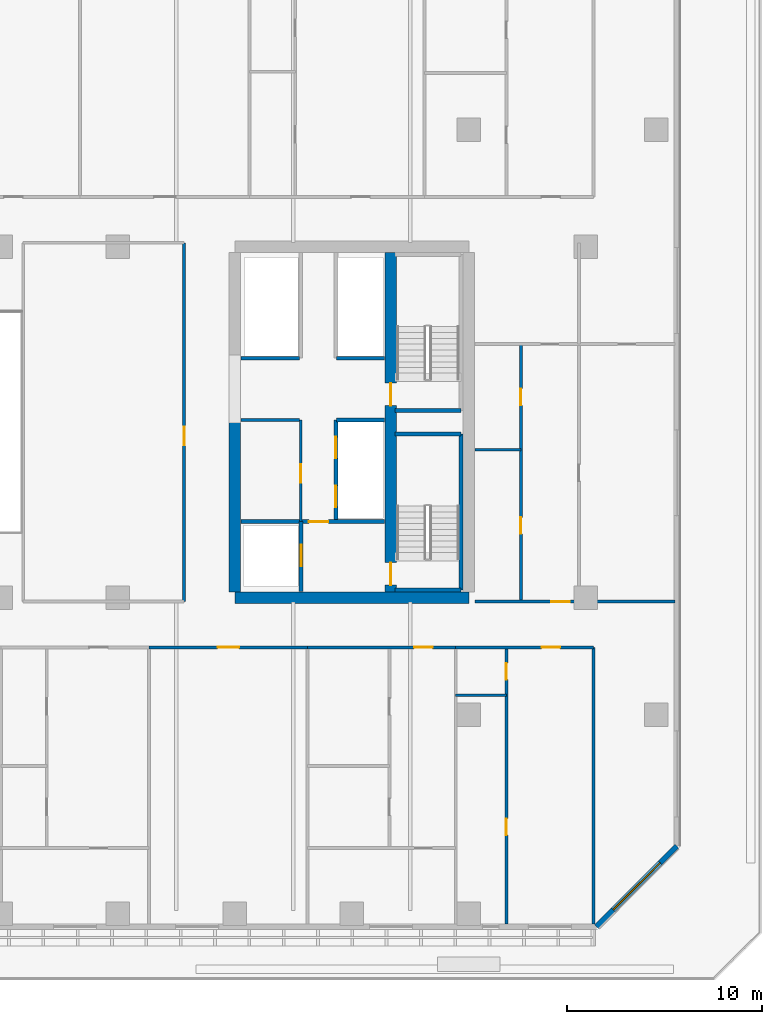
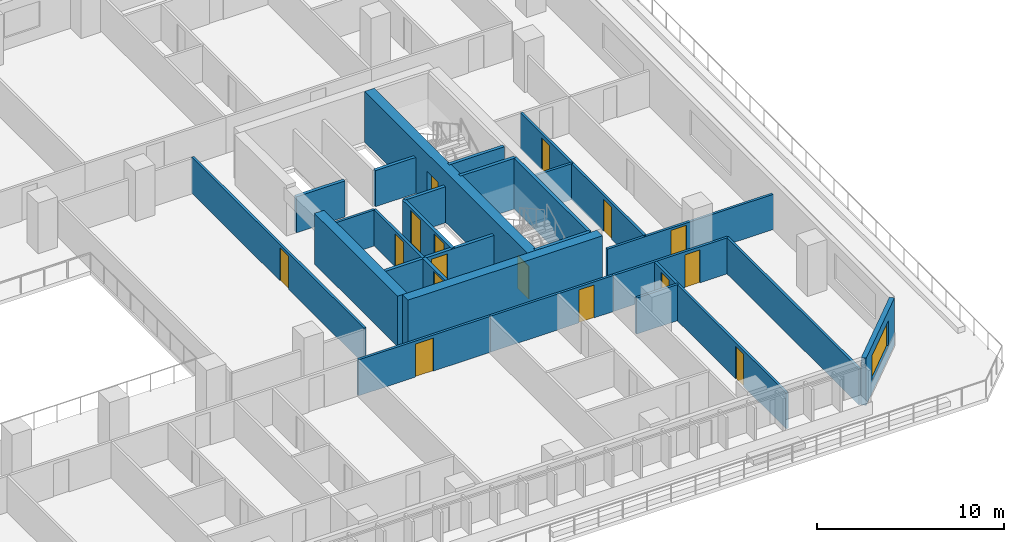
# One storey, part 10 of 23: 26 walls, 16 doors, 1 window, 17 openings.
"""IFC4 building model written with IfcOpenShell, lengths in metres."""

from ifc_helpers import new_model, si_unit, direction, frame, frame_2d, origin, place, context, subcontext, project, spatial, rectangle, extrude, material, layer, layer_set, type_object, element, fill, save


model = new_model("IFC4")

# Units and contexts
model_context = context("Model", 3, precision=1e-05, world=origin(), true_north=direction((0.0, 1.0)))
body_context = subcontext(model_context, "Body", "Model", "MODEL_VIEW")
ifc_project = project(units=[si_unit("LENGTHUNIT", "METRE"), si_unit("AREAUNIT", "SQUARE_METRE"), si_unit("VOLUMEUNIT", "CUBIC_METRE"), si_unit("PLANEANGLEUNIT", "RADIAN"), si_unit("MASSUNIT", "GRAM", prefix="KILO")], contexts=[model_context])

# Site, building, storey
site_placement = place(None, origin())
site = spatial("IfcSite", under=ifc_project, at=site_placement, CompositionType="ELEMENT")
building_placement = place(site_placement, origin())
building = spatial("IfcBuilding", under=site, at=building_placement, Name="Tanjung Sevakor Pilgrim Tower", CompositionType="ELEMENT")
storey_placement = place(building_placement, frame((0.0, 0.0, 29.0400390625)))
storey = spatial("IfcBuildingStorey", under=building, at=storey_placement, Name="L07", CompositionType="ELEMENT", Elevation=29.0400390625)

# Walls
ifc_material_1 = material(Name="Concrete C60/75", Category="concrete")
ifc_layer_1 = layer(ifc_material_1, 0.60009765625)
ifc_layer_set_1 = layer_set([ifc_layer_1], Name="WALL-CW-600")
wall_type_1 = type_object("IfcWallType", Name="WALL-CW-600", PredefinedType="SHEAR", material=ifc_layer_set_1)
wall_1_placement = place(storey_placement, frame((78.0, 24.60009765625, 0.0), z_axis=(0.0, 0.0, 1.0), x_axis=(1.0, 0.0, 0.0)))
element("IfcWall", 1, at=wall_1_placement, inside=storey, type_object=wall_type_1, Name="L07 E Core South Shear Wall", PredefinedType="SHEAR", context=body_context, shape_type="SweptSolid", body=[
    extrude(rectangle(XDim=12.0, YDim=0.60009765625, at=frame_2d((6.0, 0.0))), origin(), (0.0, 0.0, 1.0), 3.300048828125),
])
wall_2_placement = place(storey_placement, frame((78.0, 24.89990234375, 0.0), z_axis=(0.0, 0.0, 1.0), x_axis=(0.0, 1.0, 0.0)))
element("IfcWall", 2, at=wall_2_placement, inside=storey, type_object=wall_type_1, Name="L07 E Core Inner Shear Wall South", PredefinedType="SHEAR", context=body_context, shape_type="SweptSolid", body=[
    extrude(rectangle(XDim=8.900146484375, YDim=0.60009765625, at=frame_2d((4.4501953125, 0.0))), origin(), (0.0, 0.0, 1.0), 3.300048828125),
])

# Wall, openings, doors
wall_3_placement = place(storey_placement, frame((86.0, 24.89990234375, 0.0), z_axis=(0.0, 0.0, 1.0), x_axis=(0.0, 1.0, 0.0)))
wall_3 = element("IfcWall", 3, at=wall_3_placement, inside=storey, type_object=wall_type_1, Name="L07 E Core Stair Spine Wall", PredefinedType="SHEAR", context=body_context, shape_type="SweptSolid", body=[
    extrude(rectangle(XDim=17.400146484375, YDim=0.60009765625, at=frame_2d((8.7001953125, 0.0))), origin(), (0.0, 0.0, 1.0), 3.300048828125),
])
opening_1_placement = place(wall_3_placement, frame((0.35009765625, 0.0, 0.0)))
opening_1 = element("IfcOpeningElement", 4, at=opening_1_placement, cuts=wall_3, Name="Opening ID-ST1", PredefinedType="OPENING", context=body_context, shape_type="SweptSolid", body=[
    extrude(rectangle(XDim=1.14990234375, YDim=2.14990234375, at=frame_2d((0.574951171875, 1.074951171875))), frame((0.0, 0.31005859375, 0.0), z_axis=(0.0, -1.0, 0.0), x_axis=(1.0, 0.0, 0.0)), (0.0, 0.0, 1.0), 0.6201171875),
])
opening_2_placement = place(wall_3_placement, frame((9.550048828125, 0.0, 0.0)))
opening_2 = element("IfcOpeningElement", 5, at=opening_2_placement, cuts=wall_3, Name="Opening ID-ST1", PredefinedType="OPENING", context=body_context, shape_type="SweptSolid", body=[
    extrude(rectangle(XDim=1.14990234375, YDim=2.14990234375, at=frame_2d((0.574951171875, 1.074951171875))), frame((0.0, 0.31005859375, 0.0), z_axis=(0.0, -1.0, 0.0), x_axis=(1.0, 0.0, 0.0)), (0.0, 0.0, 1.0), 0.6201171875),
])
ifc_material_2 = material(Name="Fire-Rated Steel S355J2", Category="steel")
door_type_1 = type_object("IfcDoorType", Name="DT-FIRE-1150", OperationType="NOTDEFINED", PredefinedType="DOOR", material=ifc_material_2)
door_1_placement = place(opening_1_placement, origin())
door_1 = element("IfcDoor", 6, at=door_1_placement, inside=storey, type_object=door_type_1, Name="L07 TS-E1 Stair Fire Door", OperationType="SINGLE_SWING_LEFT", OverallHeight=2.14990234375, OverallWidth=1.14990234375, PredefinedType="DOOR", context=body_context, shape_type="SweptSolid", body=[
    extrude(rectangle(XDim=1.14990234375, YDim=2.14990234375, at=frame_2d((0.574951171875, 1.074951171875))), frame((0.0, 0.02490234375, 0.0), z_axis=(0.0, -1.0, 0.0), x_axis=(1.0, 0.0, 0.0)), (0.0, 0.0, 1.0), 0.050048828125),
])
fill(opening_1, door_1)
door_2_placement = place(opening_2_placement, origin())
door_2 = element("IfcDoor", 7, at=door_2_placement, inside=storey, type_object=door_type_1, Name="L07 TS-E2 Stair Fire Door", OperationType="SINGLE_SWING_RIGHT", OverallHeight=2.14990234375, OverallWidth=1.14990234375, PredefinedType="DOOR", context=body_context, shape_type="SweptSolid", body=[
    extrude(rectangle(XDim=1.14990234375, YDim=2.14990234375, at=frame_2d((0.574951171875, 1.074951171875))), frame((0.0, 0.02490234375, 0.0), z_axis=(0.0, -1.0, 0.0), x_axis=(1.0, 0.0, 0.0)), (0.0, 0.0, 1.0), 0.050048828125),
])
fill(opening_2, door_2)

# Wall
ifc_material_3 = material(Name="Concrete C40/50", Category="concrete")
ifc_layer_2 = layer(ifc_material_3, 0.14990234375)
ifc_layer_set_2 = layer_set([ifc_layer_2], Name="WT-COMP-150")
wall_type_2 = type_object("IfcWallType", Name="WT-COMP-150", PredefinedType="SOLIDWALL", material=ifc_layer_set_2)
wall_4_placement = place(storey_placement, frame((78.320068359375, 33.719970703125, 0.0), z_axis=(0.0, 0.0, 1.0), x_axis=(1.0, 0.0, 0.0)))
element("IfcWall", 8, at=wall_4_placement, inside=storey, type_object=wall_type_2, Name="L07 Partition IW-L07-015", PredefinedType="SOLIDWALL", context=body_context, shape_type="SweptSolid", body=[
    extrude(rectangle(XDim=3.0, YDim=0.14990234375, at=frame_2d((1.5, 0.0))), origin(), (0.0, 0.0, 1.0), 2.35009765625),
])

# Wall, opening, door
wall_5_placement = place(storey_placement, frame((81.3798828125, 28.5, 0.0), z_axis=(0.0, 0.0, 1.0), x_axis=(0.0, 1.0, 0.0)))
wall_5 = element("IfcWall", 9, at=wall_5_placement, inside=storey, type_object=wall_type_2, Name="L07 Partition IW-L07-016", PredefinedType="SOLIDWALL", context=body_context, shape_type="SweptSolid", body=[
    extrude(rectangle(XDim=5.219970703125, YDim=0.14990234375, at=frame_2d((2.60986328125, 0.0))), origin(), (0.0, 0.0, 1.0), 2.35009765625),
])
opening_3_placement = place(wall_5_placement, frame((2.0, 0.0, 0.0)))
opening_3 = element("IfcOpeningElement", 10, at=opening_3_placement, cuts=wall_5, Name="Opening ID-FD2", PredefinedType="OPENING", context=body_context, shape_type="SweptSolid", body=[
    extrude(rectangle(XDim=0.949951171875, YDim=2.14990234375, at=frame_2d((0.47509765625, 1.074951171875))), frame((0.0, 0.0849609375, 0.0), z_axis=(0.0, -1.0, 0.0), x_axis=(1.0, 0.0, 0.0)), (0.0, 0.0, 1.0), 0.169921875),
])
ifc_material_4 = material(Name="Fire-Rated Timber", Category="wood")
door_type_2 = type_object("IfcDoorType", Name="DT-FIRE-950", OperationType="NOTDEFINED", PredefinedType="DOOR", material=ifc_material_4)
door_3_placement = place(opening_3_placement, origin())
door_3 = element("IfcDoor", 11, at=door_3_placement, inside=storey, type_object=door_type_2, Name="L07 Accessible WC Door", OperationType="SINGLE_SWING_LEFT", OverallHeight=2.14990234375, OverallWidth=0.949951171875, PredefinedType="DOOR", context=body_context, shape_type="SweptSolid", body=[
    extrude(rectangle(XDim=0.949951171875, YDim=2.14990234375, at=frame_2d((0.47509765625, 1.074951171875))), frame((0.0, 0.02490234375, 0.0), z_axis=(0.0, -1.0, 0.0), x_axis=(1.0, 0.0, 0.0)), (0.0, 0.0, 1.0), 0.050048828125),
])
fill(opening_3, door_3)

wall_6_placement = place(storey_placement, frame((75.39990234375, 24.39990234375, 0.0), z_axis=(0.0, 0.0, 1.0), x_axis=(0.0, 1.0, 0.0)))
wall_6 = element("IfcWall", 12, at=wall_6_placement, inside=storey, type_object=wall_type_2, Name="L07 Partition IW-L07-028", PredefinedType="SOLIDWALL", context=body_context, shape_type="SweptSolid", body=[
    extrude(rectangle(XDim=18.400146484375, YDim=0.14990234375, at=frame_2d((9.2001953125, 0.0))), origin(), (0.0, 0.0, 1.0), 2.35009765625),
])
opening_4_placement = place(wall_6_placement, frame((8.02490234375, 0.0, 0.0)))
opening_4 = element("IfcOpeningElement", 13, at=opening_4_placement, cuts=wall_6, Name="Opening ID-RM1", PredefinedType="OPENING", context=body_context, shape_type="SweptSolid", body=[
    extrude(rectangle(XDim=0.949951171875, YDim=2.14990234375, at=frame_2d((0.47509765625, 1.074951171875))), frame((0.0, 0.0849609375, 0.0), z_axis=(0.0, -1.0, 0.0), x_axis=(1.0, 0.0, 0.0)), (0.0, 0.0, 1.0), 0.169921875),
])
ifc_material_5 = material(Name="Hardwood Timber", Category="wood")
door_type_3 = type_object("IfcDoorType", Name="DT-INT-950", OperationType="NOTDEFINED", PredefinedType="DOOR", material=ifc_material_5)
door_4_placement = place(opening_4_placement, origin())
door_4 = element("IfcDoor", 14, at=door_4_placement, inside=storey, type_object=door_type_3, Name="L07 Central East Room Door", OperationType="SINGLE_SWING_LEFT", OverallHeight=2.14990234375, OverallWidth=0.949951171875, PredefinedType="DOOR", context=body_context, shape_type="SweptSolid", body=[
    extrude(rectangle(XDim=0.949951171875, YDim=2.14990234375, at=frame_2d((0.47509765625, 1.074951171875))), frame((0.0, 0.02490234375, 0.0), z_axis=(0.0, -1.0, 0.0), x_axis=(1.0, 0.0, 0.0)), (0.0, 0.0, 1.0), 0.050048828125),
])
fill(opening_4, door_4)

wall_7_placement = place(storey_placement, frame((90.320068359375, 24.39990234375, 0.0), z_axis=(0.0, 0.0, 1.0), x_axis=(1.0, 0.0, 0.0)))
wall_7 = element("IfcWall", 15, at=wall_7_placement, inside=storey, type_object=wall_type_2, Name="L07 Partition IW-L07-035", PredefinedType="SOLIDWALL", context=body_context, shape_type="SweptSolid", body=[
    extrude(rectangle(XDim=10.239990234375, YDim=0.14990234375, at=frame_2d((5.1201171875, 0.0))), origin(), (0.0, 0.0, 1.0), 2.295166015625),
])
opening_5_placement = place(wall_7_placement, frame((3.91259765625, 0.0, 0.0)))
opening_5 = element("IfcOpeningElement", 16, at=opening_5_placement, cuts=wall_7, Name="Opening ID-FD2", PredefinedType="OPENING", context=body_context, shape_type="SweptSolid", body=[
    extrude(rectangle(XDim=0.949951171875, YDim=2.14990234375, at=frame_2d((0.47509765625, 1.074951171875))), frame((0.0, 0.0849609375, 0.0), z_axis=(0.0, -1.0, 0.0), x_axis=(1.0, 0.0, 0.0)), (0.0, 0.0, 1.0), 0.169921875),
])
door_5_placement = place(opening_5_placement, origin())
door_5 = element("IfcDoor", 17, at=door_5_placement, inside=storey, type_object=door_type_2, Name="Suite Entrance", OperationType="SINGLE_SWING_RIGHT", OverallHeight=2.14990234375, OverallWidth=0.949951171875, PredefinedType="DOOR", context=body_context, shape_type="SweptSolid", body=[
    extrude(rectangle(XDim=0.949951171875, YDim=2.14990234375, at=frame_2d((0.47509765625, 1.074951171875))), frame((0.0, 0.02490234375, 0.0), z_axis=(0.0, -1.0, 0.0), x_axis=(1.0, 0.0, 0.0)), (0.0, 0.0, 1.0), 0.050048828125),
])
fill(opening_5, door_5)

# Wall
wall_8_placement = place(storey_placement, frame((96.39990234375, 7.8798828125, 0.0), z_axis=(0.0, 0.0, 1.0), x_axis=(0.0, 1.0, 0.0)))
element("IfcWall", 18, at=wall_8_placement, inside=storey, type_object=wall_type_2, Name="L07 Partition IW-L07-054", PredefinedType="SOLIDWALL", context=body_context, shape_type="SweptSolid", body=[
    extrude(rectangle(XDim=14.170166015625, YDim=0.14990234375, at=frame_2d((7.0849609375, 0.0))), origin(), (0.0, 0.0, 1.0), 2.35009765625),
])

# Wall, opening, door
wall_9_placement = place(storey_placement, frame((73.60498046875, 22.050048828125, 0.0), z_axis=(0.0, 0.0, 1.0), x_axis=(1.0, 0.0, 0.0)))
wall_9 = element("IfcWall", 19, at=wall_9_placement, inside=storey, type_object=wall_type_2, Name="L07 Partition IW-L07-068", PredefinedType="SOLIDWALL", context=body_context, shape_type="SweptSolid", body=[
    extrude(rectangle(XDim=8.122314453125, YDim=0.14990234375, at=frame_2d((4.06103515625, 0.0))), origin(), (0.0, 0.0, 1.0), 2.35009765625),
])
opening_6_placement = place(wall_9_placement, frame((3.51123046875, 0.0, 0.0)))
opening_6 = element("IfcOpeningElement", 20, at=opening_6_placement, cuts=wall_9, Name="Opening ID-FD0", PredefinedType="OPENING", context=body_context, shape_type="SweptSolid", body=[
    extrude(rectangle(XDim=1.10009765625, YDim=2.14990234375, at=frame_2d((0.550048828125, 1.074951171875))), frame((0.0, 0.0849609375, 0.0), z_axis=(0.0, -1.0, 0.0), x_axis=(1.0, 0.0, 0.0)), (0.0, 0.0, 1.0), 0.169921875),
])
ifc_material_6 = material(Name="Fire-Rated Steel S355J2", Category="steel")
door_type_4 = type_object("IfcDoorType", Name="DT-FIRE-1100", OperationType="NOTDEFINED", PredefinedType="DOOR", material=ifc_material_6)
door_6_placement = place(opening_6_placement, origin())
door_6 = element("IfcDoor", 21, at=door_6_placement, inside=storey, type_object=door_type_4, Name="Council Room Door", OperationType="SINGLE_SWING_LEFT", OverallHeight=2.14990234375, OverallWidth=1.10009765625, PredefinedType="DOOR", context=body_context, shape_type="SweptSolid", body=[
    extrude(rectangle(XDim=1.10009765625, YDim=2.14990234375, at=frame_2d((0.550048828125, 1.074951171875))), frame((0.0, 0.02490234375, 0.0), z_axis=(0.0, -1.0, 0.0), x_axis=(1.0, 0.0, 0.0)), (0.0, 0.0, 1.0), 0.050048828125),
])
fill(opening_6, door_6)

wall_10_placement = place(storey_placement, frame((81.727294921875, 22.050048828125, 0.0), z_axis=(0.0, 0.0, 1.0), x_axis=(1.0, 0.0, 0.0)))
wall_10 = element("IfcWall", 22, at=wall_10_placement, inside=storey, type_object=wall_type_2, Name="L07 Partition IW-L07-073", PredefinedType="SOLIDWALL", context=body_context, shape_type="SweptSolid", body=[
    extrude(rectangle(XDim=7.598388671875, YDim=0.14990234375, at=frame_2d((3.79931640625, 0.0))), origin(), (0.0, 0.0, 1.0), 2.35009765625),
])
opening_7_placement = place(wall_10_placement, frame((5.46044921875, 0.0, 0.0)))
opening_7 = element("IfcOpeningElement", 23, at=opening_7_placement, cuts=wall_10, Name="Opening ID-FD2", PredefinedType="OPENING", context=body_context, shape_type="SweptSolid", body=[
    extrude(rectangle(XDim=0.949951171875, YDim=2.14990234375, at=frame_2d((0.47509765625, 1.074951171875))), frame((0.0, 0.0849609375, 0.0), z_axis=(0.0, -1.0, 0.0), x_axis=(1.0, 0.0, 0.0)), (0.0, 0.0, 1.0), 0.169921875),
])
door_7_placement = place(opening_7_placement, origin())
door_7 = element("IfcDoor", 24, at=door_7_placement, inside=storey, type_object=door_type_2, Name="Residence Entrance", OperationType="SINGLE_SWING_LEFT", OverallHeight=2.14990234375, OverallWidth=0.949951171875, PredefinedType="DOOR", context=body_context, shape_type="SweptSolid", body=[
    extrude(rectangle(XDim=0.949951171875, YDim=2.14990234375, at=frame_2d((0.47509765625, 1.074951171875))), frame((0.0, 0.02490234375, 0.0), z_axis=(0.0, -1.0, 0.0), x_axis=(1.0, 0.0, 0.0)), (0.0, 0.0, 1.0), 0.050048828125),
])
fill(opening_7, door_7)

wall_11_placement = place(storey_placement, frame((89.32568359375, 22.050048828125, 0.0), z_axis=(0.0, 0.0, 1.0), x_axis=(1.0, 0.0, 0.0)))
wall_11 = element("IfcWall", 25, at=wall_11_placement, inside=storey, type_object=wall_type_2, Name="L07 Partition IW-L07-076", PredefinedType="SOLIDWALL", context=body_context, shape_type="SweptSolid", body=[
    extrude(rectangle(XDim=7.07421875, YDim=0.14990234375, at=frame_2d((3.537109375, 0.0))), origin(), (0.0, 0.0, 1.0), 2.35009765625),
])
opening_8_placement = place(wall_11_placement, frame((4.3994140625, 0.0, 0.0)))
opening_8 = element("IfcOpeningElement", 26, at=opening_8_placement, cuts=wall_11, Name="Opening ID-FD2", PredefinedType="OPENING", context=body_context, shape_type="SweptSolid", body=[
    extrude(rectangle(XDim=0.949951171875, YDim=2.14990234375, at=frame_2d((0.47509765625, 1.074951171875))), frame((0.0, 0.0849609375, 0.0), z_axis=(0.0, -1.0, 0.0), x_axis=(1.0, 0.0, 0.0)), (0.0, 0.0, 1.0), 0.169921875),
])
door_8_placement = place(opening_8_placement, origin())
door_8 = element("IfcDoor", 27, at=door_8_placement, inside=storey, type_object=door_type_2, Name="Hostel Quad Entrance", OperationType="SINGLE_SWING_RIGHT", OverallHeight=2.14990234375, OverallWidth=0.949951171875, PredefinedType="DOOR", context=body_context, shape_type="SweptSolid", body=[
    extrude(rectangle(XDim=0.949951171875, YDim=2.14990234375, at=frame_2d((0.47509765625, 1.074951171875))), frame((0.0, 0.02490234375, 0.0), z_axis=(0.0, -1.0, 0.0), x_axis=(1.0, 0.0, 0.0)), (0.0, 0.0, 1.0), 0.050048828125),
])
fill(opening_8, door_8)

# Wall, opening, window
ifc_material_7 = material(Name="Precast concrete C45/55", Category="concrete")
ifc_layer_3 = layer(ifc_material_7, 0.280029296875)
ifc_layer_set_3 = layer_set([ifc_layer_3], Name="WT-EW-STN2")
wall_type_3 = type_object("IfcWallType", Name="WT-EW-STN2", PredefinedType="SOLIDWALL", material=ifc_layer_set_3)
wall_12_placement = place(storey_placement, frame((96.5419921875, 7.739990234375, 0.0), z_axis=(0.0, 0.0, 1.0), x_axis=(0.707106781187, 0.707106781187, 0.0)))
wall_12 = element("IfcWall", 28, at=wall_12_placement, inside=storey, type_object=wall_type_3, Name="L07 MAIN Sculpted Corner Wall 5", PredefinedType="SOLIDWALL", context=body_context, shape_type="SweptSolid", body=[
    extrude(rectangle(XDim=5.82373046875, YDim=0.280029296875, at=frame_2d((2.911865234375, 0.0))), origin(), (0.0, 0.0, 1.0), 3.080078125),
])
opening_9_placement = place(wall_12_placement, frame((1.2119140625, 0.0, 0.780029296875)))
opening_9 = element("IfcOpeningElement", 29, at=opening_9_placement, cuts=wall_12, Name="Opening WN-CHM-1660", PredefinedType="OPENING", context=body_context, shape_type="SweptSolid", body=[
    extrude(rectangle(XDim=3.39990234375, YDim=1.659912109375, at=frame_2d((1.699951171875, 0.830078125))), frame((0.0, 0.14990234375, 0.0), z_axis=(0.0, -1.0, 0.0), x_axis=(1.0, 0.0, 0.0)), (0.0, 0.0, 1.0), 0.300048828125),
])
ifc_material_8 = material(Name="Thermally Broken Aluminium and Low-E Glass", Category="aluminium")
window_type = type_object("IfcWindowType", Name="WTYP-WN-CHM-1660", PartitioningType="DOUBLE_PANEL_VERTICAL", PredefinedType="WINDOW", material=ifc_material_8)
window_placement = place(opening_9_placement, origin())
window = element("IfcWindow", 30, at=window_placement, inside=storey, type_object=window_type, Name="L07 Facade Window 01", OverallHeight=1.659912109375, OverallWidth=3.39990234375, PartitioningType="SINGLE_PANEL", PredefinedType="WINDOW", context=body_context, shape_type="SweptSolid", body=[
    extrude(rectangle(XDim=3.39990234375, YDim=1.659912109375, at=frame_2d((1.699951171875, 0.830078125))), frame((0.0, 0.030029296875, 0.0), z_axis=(0.0, -1.0, 0.0), x_axis=(1.0, 0.0, 0.0)), (0.0, 0.0, 1.0), 0.06005859375),
])
fill(opening_9, window)

# Walls
ifc_material_9 = material(Name="Concrete C40/50", Category="concrete")
ifc_layer_4 = layer(ifc_material_9, 0.199951171875)
ifc_layer_set_4 = layer_set([ifc_layer_4], Name="WT-FIRE-200")
wall_type_4 = type_object("IfcWallType", Name="WT-FIRE-200", PredefinedType="SOLIDWALL", material=ifc_layer_set_4)
wall_13_placement = place(storey_placement, frame((86.199951171875, 25.0, 0.0), z_axis=(0.0, 0.0, 1.0), x_axis=(1.0, 0.0, 0.0)))
element("IfcWall", 31, at=wall_13_placement, inside=storey, type_object=wall_type_4, Name="L07 TS-E1 Shaft Wall 1", PredefinedType="SOLIDWALL", context=body_context, shape_type="SweptSolid", body=[
    extrude(rectangle(XDim=3.400146484375, YDim=0.199951171875, at=frame_2d((1.7001953125, 0.0))), origin(), (0.0, 0.0, 1.0), 3.300048828125),
])
wall_14_placement = place(storey_placement, frame((89.60009765625, 25.0, 0.0), z_axis=(0.0, 0.0, 1.0), x_axis=(0.0, 1.0, 0.0)))
element("IfcWall", 32, at=wall_14_placement, inside=storey, type_object=wall_type_4, Name="L07 TS-E1 Shaft Wall 2", PredefinedType="SOLIDWALL", context=body_context, shape_type="SweptSolid", body=[
    extrude(rectangle(XDim=8.0, YDim=0.199951171875, at=frame_2d((4.0, 0.0))), origin(), (0.0, 0.0, 1.0), 3.300048828125),
])
for number, where, z_axis, x_axis, name in (
    (33, (89.60009765625, 33.0, 0.0), (0.0, 0.0, 1.0), (-1.0, 0.0, 0.0), "L07 TS-E1 Shaft Wall 3"),
    (34, (86.199951171875, 34.199951171875, 0.0), (0.0, 0.0, 1.0), (1.0, 0.0, 0.0), "L07 TS-E2 Shaft Wall 1"),
):
    element("IfcWall", number, at=place(storey_placement, frame(where, z_axis=z_axis, x_axis=x_axis)), inside=storey, type_object=wall_type_4, Name=name, PredefinedType="SOLIDWALL", context=body_context, shape_type="SweptSolid", body=[
        extrude(rectangle(XDim=3.400146484375, YDim=0.199951171875, at=frame_2d((1.7001953125, 0.0))), origin(), (0.0, 0.0, 1.0), 3.300048828125),
    ])

# Wall, opening, door
ifc_material_10 = material(Name="Concrete C40/50", Category="concrete")
ifc_layer_5 = layer(ifc_material_10, 0.199951171875)
ifc_layer_set_5 = layer_set([ifc_layer_5], Name="WT-FPRT-200")
wall_type_5 = type_object("IfcWallType", Name="WT-FPRT-200", PredefinedType="SOLIDWALL", material=ifc_layer_set_5)
wall_15_placement = place(storey_placement, frame((81.39990234375, 24.919921875, 0.0), z_axis=(0.0, 0.0, 1.0), x_axis=(0.0, 1.0, 0.0)))
wall_15 = element("IfcWall", 35, at=wall_15_placement, inside=storey, type_object=wall_type_5, Name="L07 Partition IW-L07-011", PredefinedType="SOLIDWALL", context=body_context, shape_type="SweptSolid", body=[
    extrude(rectangle(XDim=3.580078125, YDim=0.199951171875, at=frame_2d((1.7900390625, 0.0))), origin(), (0.0, 0.0, 1.0), 2.35009765625),
])
opening_10_placement = place(wall_15_placement, frame((1.300048828125, 0.0, 0.0)))
opening_10 = element("IfcOpeningElement", 36, at=opening_10_placement, cuts=wall_15, Name="Opening LD-1100", PredefinedType="OPENING", context=body_context, shape_type="SweptSolid", body=[
    extrude(rectangle(XDim=1.10009765625, YDim=2.199951171875, at=frame_2d((0.550048828125, 1.10009765625))), frame((0.0, 0.10986328125, 0.0), z_axis=(0.0, -1.0, 0.0), x_axis=(1.0, 0.0, 0.0)), (0.0, 0.0, 1.0), 0.219970703125),
])
ifc_material_11 = material(Name="Brushed Stainless Steel S355J2", Category="steel")
door_type_5 = type_object("IfcDoorType", Name="DT-LIFT-1100", OperationType="SLIDING_TO_LEFT", PredefinedType="DOOR", material=ifc_material_11)
door_9_placement = place(opening_10_placement, origin())
door_9 = element("IfcDoor", 37, at=door_9_placement, inside=storey, type_object=door_type_5, Name="LD-FL-E", OperationType="SLIDING_TO_LEFT", OverallHeight=2.199951171875, OverallWidth=1.10009765625, PredefinedType="DOOR", context=body_context, shape_type="SweptSolid", body=[
    extrude(rectangle(XDim=1.10009765625, YDim=2.199951171875, at=frame_2d((0.550048828125, 1.10009765625))), frame((0.0, 0.02490234375, 0.0), z_axis=(0.0, -1.0, 0.0), x_axis=(1.0, 0.0, 0.0)), (0.0, 0.0, 1.0), 0.050048828125),
])
fill(opening_10, door_9)

wall_16_placement = place(storey_placement, frame((78.320068359375, 28.5, 0.0), z_axis=(0.0, 0.0, 1.0), x_axis=(1.0, 0.0, 0.0)))
wall_16 = element("IfcWall", 38, at=wall_16_placement, inside=storey, type_object=wall_type_5, Name="L07 Partition IW-L07-012", PredefinedType="SOLIDWALL", context=body_context, shape_type="SweptSolid", body=[
    extrude(rectangle(XDim=7.35986328125, YDim=0.199951171875, at=frame_2d((3.679931640625, 0.0))), origin(), (0.0, 0.0, 1.0), 2.35009765625),
])
opening_11_placement = place(wall_16_placement, frame((3.47998046875, 0.0, 0.0)))
opening_11 = element("IfcOpeningElement", 39, at=opening_11_placement, cuts=wall_16, Name="Opening ID-FD1", PredefinedType="OPENING", context=body_context, shape_type="SweptSolid", body=[
    extrude(rectangle(XDim=1.0, YDim=2.14990234375, at=frame_2d((0.5, 1.074951171875))), frame((0.0, 0.10986328125, 0.0), z_axis=(0.0, -1.0, 0.0), x_axis=(1.0, 0.0, 0.0)), (0.0, 0.0, 1.0), 0.219970703125),
])
ifc_material_12 = material(Name="Fire-Rated Steel S355J2", Category="steel")
door_type_6 = type_object("IfcDoorType", Name="DT-FIRE-1000", OperationType="NOTDEFINED", PredefinedType="DOOR", material=ifc_material_12)
door_10_placement = place(opening_11_placement, origin())
door_10 = element("IfcDoor", 40, at=door_10_placement, inside=storey, type_object=door_type_6, Name="Fire Lobby Door E", OperationType="SINGLE_SWING_RIGHT", OverallHeight=2.14990234375, OverallWidth=1.0, PredefinedType="DOOR", context=body_context, shape_type="SweptSolid", body=[
    extrude(rectangle(XDim=1.0, YDim=2.14990234375, at=frame_2d((0.5, 1.074951171875))), frame((0.0, 0.02490234375, 0.0), z_axis=(0.0, -1.0, 0.0), x_axis=(1.0, 0.0, 0.0)), (0.0, 0.0, 1.0), 0.050048828125),
])
fill(opening_11, door_10)

# Wall
wall_17_placement = place(storey_placement, frame((83.199951171875, 33.719970703125, 0.0), z_axis=(0.0, 0.0, 1.0), x_axis=(1.0, 0.0, 0.0)))
element("IfcWall", 41, at=wall_17_placement, inside=storey, type_object=wall_type_5, Name="L07 Partition IW-L07-013", PredefinedType="SOLIDWALL", context=body_context, shape_type="SweptSolid", body=[
    extrude(rectangle(XDim=2.47998046875, YDim=0.199951171875, at=frame_2d((1.239990234375, 0.0))), origin(), (0.0, 0.0, 1.0), 2.35009765625),
])

# Wall, openings, doors
wall_18_placement = place(storey_placement, frame((83.179931640625, 28.5, 0.0), z_axis=(0.0, 0.0, 1.0), x_axis=(0.0, 1.0, 0.0)))
wall_18 = element("IfcWall", 42, at=wall_18_placement, inside=storey, type_object=wall_type_5, Name="L07 Partition IW-L07-014", PredefinedType="SOLIDWALL", context=body_context, shape_type="SweptSolid", body=[
    extrude(rectangle(XDim=5.219970703125, YDim=0.199951171875, at=frame_2d((2.60986328125, 0.0))), origin(), (0.0, 0.0, 1.0), 2.35009765625),
])
opening_12_placement = place(wall_18_placement, frame((0.75, 0.0, 0.0)))
opening_12 = element("IfcOpeningElement", 43, at=opening_12_placement, cuts=wall_18, Name="Opening LD-1100", PredefinedType="OPENING", context=body_context, shape_type="SweptSolid", body=[
    extrude(rectangle(XDim=1.10009765625, YDim=2.199951171875, at=frame_2d((0.550048828125, 1.10009765625))), frame((0.0, 0.10986328125, 0.0), z_axis=(0.0, -1.0, 0.0), x_axis=(1.0, 0.0, 0.0)), (0.0, 0.0, 1.0), 0.219970703125),
])
opening_13_placement = place(wall_18_placement, frame((3.25, 0.0, 0.0)))
opening_13 = element("IfcOpeningElement", 44, at=opening_13_placement, cuts=wall_18, Name="Opening LD-1100", PredefinedType="OPENING", context=body_context, shape_type="SweptSolid", body=[
    extrude(rectangle(XDim=1.10009765625, YDim=2.199951171875, at=frame_2d((0.550048828125, 1.10009765625))), frame((0.0, 0.10986328125, 0.0), z_axis=(0.0, -1.0, 0.0), x_axis=(1.0, 0.0, 0.0)), (0.0, 0.0, 1.0), 0.219970703125),
])
door_11_placement = place(opening_12_placement, origin())
door_11 = element("IfcDoor", 45, at=door_11_placement, inside=storey, type_object=door_type_5, Name="LD-PLL1-E", OperationType="SLIDING_TO_LEFT", OverallHeight=2.199951171875, OverallWidth=1.10009765625, PredefinedType="DOOR", context=body_context, shape_type="SweptSolid", body=[
    extrude(rectangle(XDim=1.10009765625, YDim=2.199951171875, at=frame_2d((0.550048828125, 1.10009765625))), frame((0.0, 0.02490234375, 0.0), z_axis=(0.0, -1.0, 0.0), x_axis=(1.0, 0.0, 0.0)), (0.0, 0.0, 1.0), 0.050048828125),
])
fill(opening_12, door_11)
door_12_placement = place(opening_13_placement, origin())
door_12 = element("IfcDoor", 46, at=door_12_placement, inside=storey, type_object=door_type_5, Name="LD-PLL2-E", OperationType="SLIDING_TO_RIGHT", OverallHeight=2.199951171875, OverallWidth=1.10009765625, PredefinedType="DOOR", context=body_context, shape_type="SweptSolid", body=[
    extrude(rectangle(XDim=1.10009765625, YDim=2.199951171875, at=frame_2d((0.550048828125, 1.10009765625))), frame((0.0, 0.02490234375, 0.0), z_axis=(0.0, -1.0, 0.0), x_axis=(1.0, 0.0, 0.0)), (0.0, 0.0, 1.0), 0.050048828125),
])
fill(opening_13, door_12)

# Walls
wall_19_placement = place(storey_placement, frame((83.199951171875, 36.8798828125, 0.0), z_axis=(0.0, 0.0, 1.0), x_axis=(1.0, 0.0, 0.0)))
element("IfcWall", 47, at=wall_19_placement, inside=storey, type_object=wall_type_5, Name="L07 Partition IW-L07-017", PredefinedType="SOLIDWALL", context=body_context, shape_type="SweptSolid", body=[
    extrude(rectangle(XDim=2.47998046875, YDim=0.199951171875, at=frame_2d((1.239990234375, 0.0))), origin(), (0.0, 0.0, 1.0), 2.35009765625),
])
wall_20_placement = place(storey_placement, frame((78.320068359375, 36.8798828125, 0.0), z_axis=(0.0, 0.0, 1.0), x_axis=(1.0, 0.0, 0.0)))
element("IfcWall", 48, at=wall_20_placement, inside=storey, type_object=wall_type_5, Name="L07 Partition IW-L07-019", PredefinedType="SOLIDWALL", context=body_context, shape_type="SweptSolid", body=[
    extrude(rectangle(XDim=3.0, YDim=0.199951171875, at=frame_2d((1.5, 0.0))), origin(), (0.0, 0.0, 1.0), 2.35009765625),
])
ifc_material_13 = material(Name="Gypsum Board Partition", Category="gypsum board")
ifc_layer_6 = layer(ifc_material_13, 0.14990234375)
ifc_layer_set_6 = layer_set([ifc_layer_6], Name="WT-PART-150")
wall_type_6 = type_object("IfcWallType", Name="WT-PART-150", PredefinedType="PARTITIONING", material=ifc_layer_set_6)
wall_21_placement = place(storey_placement, frame((90.320068359375, 32.18798828125, 0.0), z_axis=(0.0, 0.0, 1.0), x_axis=(1.0, 0.0, 0.0)))
element("IfcWall", 49, at=wall_21_placement, inside=storey, type_object=wall_type_6, Name="L07 Partition IW-L07-031", PredefinedType="PARTITIONING", context=body_context, shape_type="SweptSolid", body=[
    extrude(rectangle(XDim=2.349853515625, YDim=0.14990234375, at=frame_2d((1.1748046875, 0.0))), origin(), (0.0, 0.0, 1.0), 2.35009765625),
])

# Wall, openings, doors
wall_22_placement = place(storey_placement, frame((92.669921875, 24.39990234375, 0.0), z_axis=(0.0, 0.0, 1.0), x_axis=(0.0, 1.0, 0.0)))
wall_22 = element("IfcWall", 50, at=wall_22_placement, inside=storey, type_object=wall_type_6, Name="L07 Partition IW-L07-032", PredefinedType="PARTITIONING", context=body_context, shape_type="SweptSolid", body=[
    extrude(rectangle(XDim=13.2001953125, YDim=0.14990234375, at=frame_2d((6.60009765625, 0.0))), origin(), (0.0, 0.0, 1.0), 2.35009765625),
])
opening_14_placement = place(wall_22_placement, frame((3.468994140625, 0.0, 0.0)))
opening_14 = element("IfcOpeningElement", 51, at=opening_14_placement, cuts=wall_22, Name="Opening ID-WC1", PredefinedType="OPENING", context=body_context, shape_type="SweptSolid", body=[
    extrude(rectangle(XDim=0.85009765625, YDim=2.10009765625, at=frame_2d((0.425048828125, 1.050048828125))), frame((0.0, 0.0849609375, 0.0), z_axis=(0.0, -1.0, 0.0), x_axis=(1.0, 0.0, 0.0)), (0.0, 0.0, 1.0), 0.169921875),
])
opening_15_placement = place(wall_22_placement, frame((10.069091796875, 0.0, 0.0)))
opening_15 = element("IfcOpeningElement", 52, at=opening_15_placement, cuts=wall_22, Name="Opening ID-WC1", PredefinedType="OPENING", context=body_context, shape_type="SweptSolid", body=[
    extrude(rectangle(XDim=0.85009765625, YDim=2.10009765625, at=frame_2d((0.425048828125, 1.050048828125))), frame((0.0, 0.0849609375, 0.0), z_axis=(0.0, -1.0, 0.0), x_axis=(1.0, 0.0, 0.0)), (0.0, 0.0, 1.0), 0.169921875),
])
ifc_material_14 = material(Name="Moisture-Resistant Timber", Category="wood")
door_type_7 = type_object("IfcDoorType", Name="DT-INT-850", OperationType="NOTDEFINED", PredefinedType="DOOR", material=ifc_material_14)
door_13_placement = place(opening_14_placement, origin())
door_13 = element("IfcDoor", 53, at=door_13_placement, inside=storey, type_object=door_type_7, Name="Suite Kitchenette Door", OperationType="SINGLE_SWING_RIGHT", OverallHeight=2.10009765625, OverallWidth=0.85009765625, PredefinedType="DOOR", context=body_context, shape_type="SweptSolid", body=[
    extrude(rectangle(XDim=0.85009765625, YDim=2.10009765625, at=frame_2d((0.425048828125, 1.050048828125))), frame((0.0, 0.02490234375, 0.0), z_axis=(0.0, -1.0, 0.0), x_axis=(1.0, 0.0, 0.0)), (0.0, 0.0, 1.0), 0.050048828125),
])
fill(opening_14, door_13)
door_14_placement = place(opening_15_placement, origin())
door_14 = element("IfcDoor", 54, at=door_14_placement, inside=storey, type_object=door_type_7, Name="Suite Bathroom Door", OperationType="SINGLE_SWING_LEFT", OverallHeight=2.10009765625, OverallWidth=0.85009765625, PredefinedType="DOOR", context=body_context, shape_type="SweptSolid", body=[
    extrude(rectangle(XDim=0.85009765625, YDim=2.10009765625, at=frame_2d((0.425048828125, 1.050048828125))), frame((0.0, 0.02490234375, 0.0), z_axis=(0.0, -1.0, 0.0), x_axis=(1.0, 0.0, 0.0)), (0.0, 0.0, 1.0), 0.050048828125),
])
fill(opening_15, door_14)

# Wall
wall_23_placement = place(storey_placement, frame((89.32568359375, 19.60009765625, 0.0), z_axis=(0.0, 0.0, 1.0), x_axis=(1.0, 0.0, 0.0)))
element("IfcWall", 55, at=wall_23_placement, inside=storey, type_object=wall_type_6, Name="L07 Partition IW-L07-074", PredefinedType="PARTITIONING", context=body_context, shape_type="SweptSolid", body=[
    extrude(rectangle(XDim=2.59423828125, YDim=0.14990234375, at=frame_2d((1.297119140625, 0.0))), origin(), (0.0, 0.0, 1.0), 2.35009765625),
])

# Wall, openings, doors
wall_24_placement = place(storey_placement, frame((91.919921875, 7.8798828125, 0.0), z_axis=(0.0, 0.0, 1.0), x_axis=(0.0, 1.0, 0.0)))
wall_24 = element("IfcWall", 56, at=wall_24_placement, inside=storey, type_object=wall_type_6, Name="L07 Partition IW-L07-075", PredefinedType="PARTITIONING", context=body_context, shape_type="SweptSolid", body=[
    extrude(rectangle(XDim=14.170166015625, YDim=0.14990234375, at=frame_2d((7.0849609375, 0.0))), origin(), (0.0, 0.0, 1.0), 2.35009765625),
])
opening_16_placement = place(wall_24_placement, frame((4.548095703125, 0.0, 0.0)))
opening_16 = element("IfcOpeningElement", 57, at=opening_16_placement, cuts=wall_24, Name="Opening ID-WC1", PredefinedType="OPENING", context=body_context, shape_type="SweptSolid", body=[
    extrude(rectangle(XDim=0.85009765625, YDim=2.10009765625, at=frame_2d((0.425048828125, 1.050048828125))), frame((0.0, 0.0849609375, 0.0), z_axis=(0.0, -1.0, 0.0), x_axis=(1.0, 0.0, 0.0)), (0.0, 0.0, 1.0), 0.169921875),
])
opening_17_placement = place(wall_24_placement, frame((12.52001953125, 0.0, 0.0)))
opening_17 = element("IfcOpeningElement", 58, at=opening_17_placement, cuts=wall_24, Name="Opening ID-WC1", PredefinedType="OPENING", context=body_context, shape_type="SweptSolid", body=[
    extrude(rectangle(XDim=0.85009765625, YDim=2.10009765625, at=frame_2d((0.425048828125, 1.050048828125))), frame((0.0, 0.0849609375, 0.0), z_axis=(0.0, -1.0, 0.0), x_axis=(1.0, 0.0, 0.0)), (0.0, 0.0, 1.0), 0.169921875),
])
door_15_placement = place(opening_16_placement, origin())
door_15 = element("IfcDoor", 59, at=door_15_placement, inside=storey, type_object=door_type_7, Name="Study Nook Door", OperationType="SINGLE_SWING_RIGHT", OverallHeight=2.10009765625, OverallWidth=0.85009765625, PredefinedType="DOOR", context=body_context, shape_type="SweptSolid", body=[
    extrude(rectangle(XDim=0.85009765625, YDim=2.10009765625, at=frame_2d((0.425048828125, 1.050048828125))), frame((0.0, 0.02490234375, 0.0), z_axis=(0.0, -1.0, 0.0), x_axis=(1.0, 0.0, 0.0)), (0.0, 0.0, 1.0), 0.050048828125),
])
fill(opening_16, door_15)
door_16_placement = place(opening_17_placement, origin())
door_16 = element("IfcDoor", 60, at=door_16_placement, inside=storey, type_object=door_type_7, Name="Bathroom Door", OperationType="SINGLE_SWING_LEFT", OverallHeight=2.10009765625, OverallWidth=0.85009765625, PredefinedType="DOOR", context=body_context, shape_type="SweptSolid", body=[
    extrude(rectangle(XDim=0.85009765625, YDim=2.10009765625, at=frame_2d((0.425048828125, 1.050048828125))), frame((0.0, 0.02490234375, 0.0), z_axis=(0.0, -1.0, 0.0), x_axis=(1.0, 0.0, 0.0)), (0.0, 0.0, 1.0), 0.050048828125),
])
fill(opening_17, door_16)

save(model, "model.ifc")
